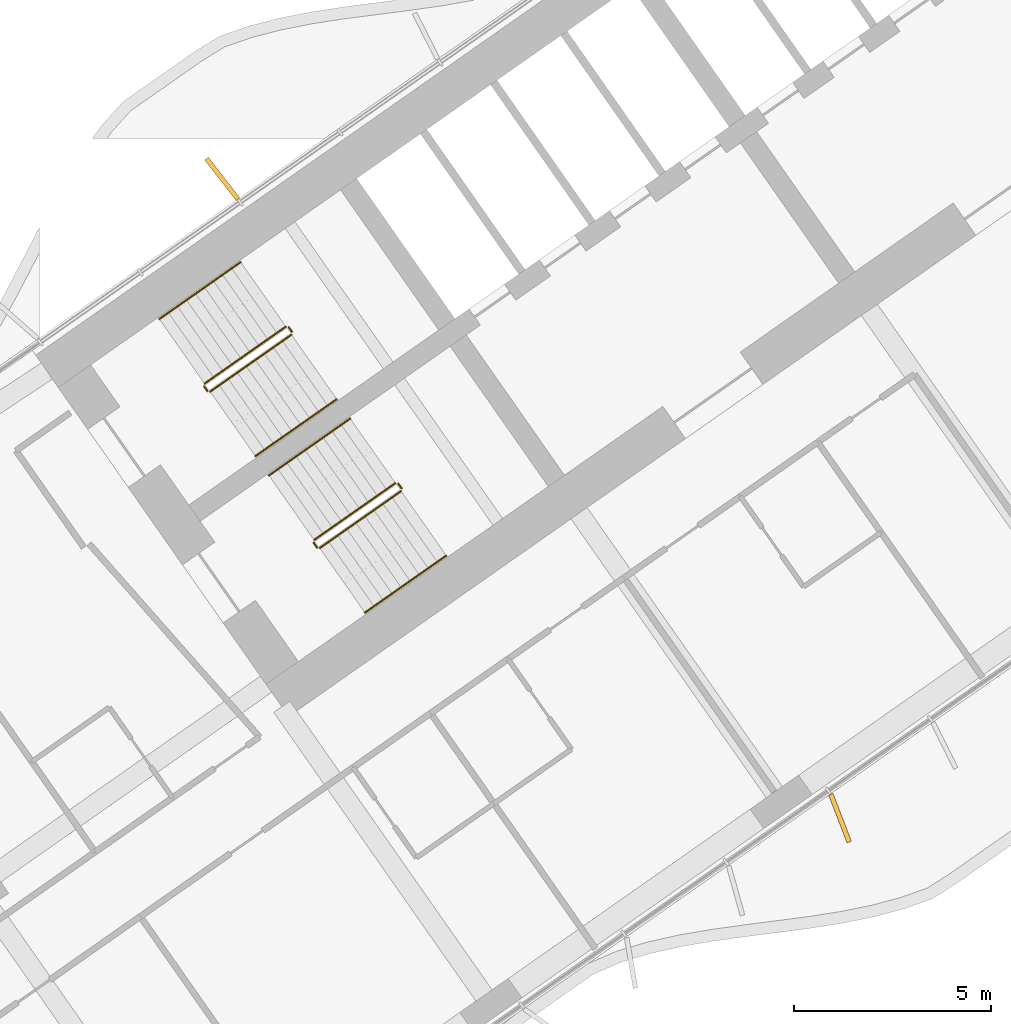
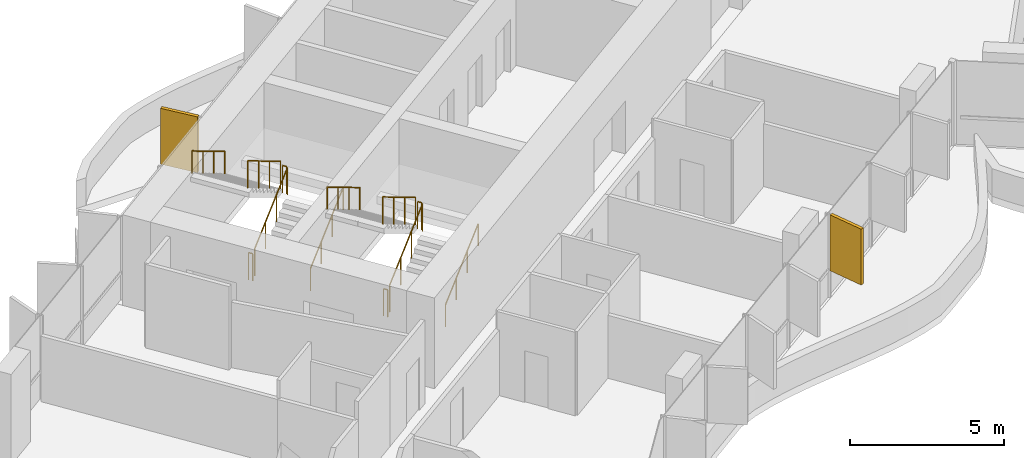
# One storey, part 18 of 22: 12 railings, 2 shading devices.
"""IFC4 building model written with IfcOpenShell, lengths in metres."""

from ifc_helpers import new_model, si_unit, direction, frame, origin, origin_2d, place, context, subcontext, project, spatial, rectangle, circle, extrude, material, layer, layer_set, type_object, element, save


model = new_model("IFC4")

# Units and contexts
model_context = context("Model", 3, precision=1e-05, world=origin(), true_north=direction((0.0, 1.0)))
body_context = subcontext(model_context, "Body", "Model", "MODEL_VIEW")
ifc_project = project(units=[si_unit("LENGTHUNIT", "METRE"), si_unit("AREAUNIT", "SQUARE_METRE"), si_unit("VOLUMEUNIT", "CUBIC_METRE"), si_unit("PLANEANGLEUNIT", "RADIAN"), si_unit("MASSUNIT", "GRAM", prefix="KILO")], contexts=[model_context])

# Site, building, storey
site_placement = place(None, origin())
site = spatial("IfcSite", under=ifc_project, at=site_placement, CompositionType="ELEMENT")
building_placement = place(site_placement, origin())
building = spatial("IfcBuilding", under=site, at=building_placement, Name="Tel Ilan Convention Tower", CompositionType="ELEMENT")
storey_placement = place(building_placement, frame((0.0, 0.0, 122.89990234375)))
storey = spatial("IfcBuildingStorey", under=building, at=storey_placement, Name="L27", CompositionType="ELEMENT", Elevation=122.89990234375)

# Shading devices
ifc_material_1 = material(Name="Aluminium, bronze anodised", Category="aluminium")
ifc_layer = layer(ifc_material_1, 0.1201171875)
ifc_layer_set = layer_set([ifc_layer], Name="FIN BRONZE 1300x120")
shading_device_type = type_object("IfcShadingDeviceType", Name="FIN BRONZE 1300x120", PredefinedType="USERDEFINED", material=ifc_layer_set)
for number, where, z_axis, x_axis, name in (
    (1, (-23.23193359375, -2.653564453125, 1.10009765625), (0.0, 0.0, 1.0), (-0.612600545196, 0.790392669516, 0.0), "FIN"),
    (2, (-7.543212890625, -18.88720703125, 1.10009765625), (0.0, 0.0, 1.0), (0.360177724803, -0.932883704733, 0.0), "FIN"),
):
    element("IfcShadingDevice", number, at=place(storey_placement, frame(where, z_axis=z_axis, x_axis=x_axis)), inside=storey, type_object=shading_device_type, Name=name, ObjectType="FIN", PredefinedType="USERDEFINED", context=body_context, shape_type="SweptSolid", body=[
        extrude(rectangle(XDim=1.300048828125, YDim=0.1201171875, at=origin_2d()), origin(), (0.0, 0.0, 1.0), 2.219970703125),
    ])

# Railings
ifc_material_2 = material(Name="Stainless Steel Grade 316", Category="steel")
railing_type_1 = type_object("IfcRailingType", Name="Stainless Steel Stair Guard 1100 mm", PredefinedType="GUARDRAIL", material=ifc_material_2)
railing_1_placement = place(storey_placement, frame((-23.535400390625, -8.056396484375, 0.18017578125)))
element("IfcRailing", 3, at=railing_1_placement, inside=storey, type_object=railing_type_1, Name="L27 S1 stair guard 1", PredefinedType="GUARDRAIL", context=body_context, shape_type="SweptSolid", body=[
    extrude(circle(Radius=0.02392578125, at=origin_2d()), frame((0.0, 0.0, 1.076171875), z_axis=(0.689043377453, 0.48253410265, 0.540721798865), x_axis=(-0.573624882958, 0.819118119475, 0.0)), (0.0, 0.0, 1.0), 2.995849609375),
    extrude(circle(Radius=0.02099609375, at=origin_2d()), origin(), (0.0, 0.0, 1.0), 1.052001953125),
    extrude(circle(Radius=0.02099609375, at=origin_2d()), frame((0.68798828125, 0.48193359375, 0.5400390625)), (0.0, 0.0, 1.0), 1.052001953125),
    extrude(circle(Radius=0.02099609375, at=origin_2d()), frame((1.376220703125, 0.963623046875, 1.079833984375)), (0.0, 0.0, 1.0), 1.052001953125),
    extrude(circle(Radius=0.02099609375, at=origin_2d()), frame((2.064208984375, 1.445556640625, 1.619873046875)), (0.0, 0.0, 1.0), 1.052001953125),
])
railing_2_placement = place(storey_placement, frame((-21.458984375, -6.541259765625, 1.800048828125)))
element("IfcRailing", 4, at=railing_2_placement, inside=storey, type_object=railing_type_1, Name="L27 S1 stair guard 2", PredefinedType="GUARDRAIL", context=body_context, shape_type="SweptSolid", body=[
    extrude(circle(Radius=0.02392578125, at=origin_2d()), frame((0.0, 0.0, 1.076171875), z_axis=(-0.573353020881, 0.819308436089, 0.0), x_axis=(-0.819308436089, -0.573353020881, 0.0)), (0.0, 0.0, 1.0), 0.14990234375),
    extrude(circle(Radius=0.02099609375, at=origin_2d()), origin(), (0.0, 0.0, 1.0), 1.052001953125),
    extrude(circle(Radius=0.02099609375, at=origin_2d()), frame((-0.0859375, 0.122802734375, 0.0)), (0.0, 0.0, 1.0), 1.052001953125),
])
railing_3_placement = place(storey_placement, frame((-21.614501953125, -6.406005859375, 1.97998046875)))
element("IfcRailing", 5, at=railing_3_placement, inside=storey, type_object=railing_type_1, Name="L27 S1 stair guard 3", PredefinedType="GUARDRAIL", context=body_context, shape_type="SweptSolid", body=[
    extrude(circle(Radius=0.02392578125, at=origin_2d()), frame((0.0, 0.0, 1.076171875), z_axis=(-0.689013013563, -0.482512838948, 0.540779462804), x_axis=(0.573624882958, -0.819118119475, 0.0)), (0.0, 0.0, 1.0), 2.995849609375),
    extrude(circle(Radius=0.02099609375, at=origin_2d()), origin(), (0.0, 0.0, 1.0), 1.052001953125),
    extrude(circle(Radius=0.02099609375, at=origin_2d()), frame((-0.68798828125, -0.48193359375, 0.5400390625)), (0.0, 0.0, 1.0), 1.052001953125),
    extrude(circle(Radius=0.02099609375, at=origin_2d()), frame((-1.376220703125, -0.963623046875, 1.080078125)), (0.0, 0.0, 1.0), 1.052001953125),
    extrude(circle(Radius=0.02099609375, at=origin_2d()), frame((-2.064208984375, -1.445556640625, 1.6201171875)), (0.0, 0.0, 1.0), 1.052001953125),
])
railing_4_placement = place(storey_placement, frame((-23.60498046875, -8.0439453125, 0.0)))
element("IfcRailing", 6, at=railing_4_placement, inside=storey, type_object=railing_type_1, Name="L27 S1 stair guard 4", PredefinedType="GUARDRAIL", context=body_context, shape_type="SweptSolid", body=[
    extrude(circle(Radius=0.02392578125, at=origin_2d()), frame((0.0, 0.0, 1.076171875), z_axis=(-0.574444878118, 0.818543268254, 0.0), x_axis=(-0.818543268254, -0.574444878118, 0.0)), (0.0, 0.0, 1.0), 0.150146484375),
    extrude(circle(Radius=0.02099609375, at=origin_2d()), origin(), (0.0, 0.0, 1.0), 1.052001953125),
    extrude(circle(Radius=0.02099609375, at=origin_2d()), frame((-0.086181640625, 0.122802734375, 0.0)), (0.0, 0.0, 1.0), 1.052001953125),
])
railing_5_placement = place(storey_placement, frame((-20.753662109375, -12.029296875, 0.18017578125)))
element("IfcRailing", 7, at=railing_5_placement, inside=storey, type_object=railing_type_1, Name="L27 S2 stair guard 1", PredefinedType="GUARDRAIL", context=body_context, shape_type="SweptSolid", body=[
    extrude(circle(Radius=0.02392578125, at=origin_2d()), frame((0.0, 0.0, 1.076171875), z_axis=(0.689086176785, 0.482507007183, 0.540691436018), x_axis=(-0.573579365141, 0.81914999352, 0.0)), (0.0, 0.0, 1.0), 2.995849609375),
    extrude(circle(Radius=0.02099609375, at=origin_2d()), origin(), (0.0, 0.0, 1.0), 1.052001953125),
    extrude(circle(Radius=0.02099609375, at=origin_2d()), frame((0.688232421875, 0.48193359375, 0.5400390625)), (0.0, 0.0, 1.0), 1.052001953125),
    extrude(circle(Radius=0.02099609375, at=origin_2d()), frame((1.376220703125, 0.963623046875, 1.079833984375)), (0.0, 0.0, 1.0), 1.052001953125),
    extrude(circle(Radius=0.02099609375, at=origin_2d()), frame((2.064453125, 1.445556640625, 1.619873046875)), (0.0, 0.0, 1.0), 1.052001953125),
])
railing_6_placement = place(storey_placement, frame((-18.677001953125, -10.51416015625, 1.800048828125)))
element("IfcRailing", 8, at=railing_6_placement, inside=storey, type_object=railing_type_1, Name="L27 S2 stair guard 2", PredefinedType="GUARDRAIL", context=body_context, shape_type="SweptSolid", body=[
    extrude(circle(Radius=0.02392578125, at=origin_2d()), frame((0.0, 0.0, 1.076171875), z_axis=(-0.573353020881, 0.819308436089, 0.0), x_axis=(-0.819308436089, -0.573353020881, 0.0)), (0.0, 0.0, 1.0), 0.14990234375),
    extrude(circle(Radius=0.02099609375, at=origin_2d()), origin(), (0.0, 0.0, 1.0), 1.052001953125),
    extrude(circle(Radius=0.02099609375, at=origin_2d()), frame((-0.0859375, 0.122802734375, 0.0)), (0.0, 0.0, 1.0), 1.052001953125),
])
railing_7_placement = place(storey_placement, frame((-18.832763671875, -10.37890625, 1.97998046875)))
element("IfcRailing", 9, at=railing_7_placement, inside=storey, type_object=railing_type_1, Name="L27 S2 stair guard 3", PredefinedType="GUARDRAIL", context=body_context, shape_type="SweptSolid", body=[
    extrude(circle(Radius=0.02392578125, at=origin_2d()), frame((0.0, 0.0, 1.076171875), z_axis=(-0.689013013563, -0.482512838948, 0.540779462804), x_axis=(0.573624882958, -0.819118119475, 0.0)), (0.0, 0.0, 1.0), 2.995849609375),
    extrude(circle(Radius=0.02099609375, at=origin_2d()), origin(), (0.0, 0.0, 1.0), 1.052001953125),
    extrude(circle(Radius=0.02099609375, at=origin_2d()), frame((-0.68798828125, -0.48193359375, 0.5400390625)), (0.0, 0.0, 1.0), 1.052001953125),
    extrude(circle(Radius=0.02099609375, at=origin_2d()), frame((-1.376220703125, -0.963623046875, 1.080078125)), (0.0, 0.0, 1.0), 1.052001953125),
    extrude(circle(Radius=0.02099609375, at=origin_2d()), frame((-2.064208984375, -1.445556640625, 1.6201171875)), (0.0, 0.0, 1.0), 1.052001953125),
])
railing_8_placement = place(storey_placement, frame((-20.8232421875, -12.016845703125, 0.0)))
element("IfcRailing", 10, at=railing_8_placement, inside=storey, type_object=railing_type_1, Name="L27 S2 stair guard 4", PredefinedType="GUARDRAIL", context=body_context, shape_type="SweptSolid", body=[
    extrude(circle(Radius=0.02392578125, at=origin_2d()), frame((0.0, 0.0, 1.076171875), z_axis=(-0.573353020881, 0.819308436089, 0.0), x_axis=(-0.819308436089, -0.573353020881, 0.0)), (0.0, 0.0, 1.0), 0.14990234375),
    extrude(circle(Radius=0.02099609375, at=origin_2d()), origin(), (0.0, 0.0, 1.0), 1.052001953125),
    extrude(circle(Radius=0.02099609375, at=origin_2d()), frame((-0.0859375, 0.122802734375, 0.0)), (0.0, 0.0, 1.0), 1.052001953125),
])
ifc_material_3 = material(Name="Stainless Steel Grade 316", Category="steel")
railing_type_2 = type_object("IfcRailingType", Name="Stainless Steel Stair Handrail 900 mm", PredefinedType="HANDRAIL", material=ifc_material_3)
railing_9_placement = place(storey_placement, frame((-22.38818359375, -9.694580078125, 0.18017578125)))
element("IfcRailing", 11, at=railing_9_placement, inside=storey, type_object=railing_type_2, Name="L27 S1 stair handrail 1", PredefinedType="HANDRAIL", context=body_context, shape_type="SweptSolid", body=[
    extrude(circle(Radius=0.02392578125, at=origin_2d()), frame((0.0, 0.0, 0.8759765625), z_axis=(0.68907047291, 0.482471578903, 0.540743061828), x_axis=(-0.573559875649, 0.819163639968, 0.0)), (0.0, 0.0, 1.0), 2.99560546875),
    extrude(circle(Radius=0.02099609375, at=origin_2d()), origin(), (0.0, 0.0, 1.0), 0.851806640625),
    extrude(circle(Radius=0.02099609375, at=origin_2d()), frame((0.68798828125, 0.481689453125, 0.5400390625)), (0.0, 0.0, 1.0), 0.851806640625),
    extrude(circle(Radius=0.02099609375, at=origin_2d()), frame((1.376220703125, 0.963623046875, 1.079833984375)), (0.0, 0.0, 1.0), 0.851806640625),
    extrude(circle(Radius=0.02099609375, at=origin_2d()), frame((2.064208984375, 1.4453125, 1.619873046875)), (0.0, 0.0, 1.0), 0.851806640625),
])
railing_10_placement = place(storey_placement, frame((-22.76171875, -4.767822265625, 1.97998046875)))
element("IfcRailing", 12, at=railing_10_placement, inside=storey, type_object=railing_type_2, Name="L27 S1 stair handrail 2", PredefinedType="HANDRAIL", context=body_context, shape_type="SweptSolid", body=[
    extrude(circle(Radius=0.02392578125, at=origin_2d()), frame((0.0, 0.0, 0.8759765625), z_axis=(-0.689040105437, -0.482450316285, 0.54080072616), x_axis=(0.573559875649, -0.819163639968, 0.0)), (0.0, 0.0, 1.0), 2.995849609375),
    extrude(circle(Radius=0.02099609375, at=origin_2d()), origin(), (0.0, 0.0, 1.0), 0.851806640625),
    extrude(circle(Radius=0.02099609375, at=origin_2d()), frame((-0.68798828125, -0.481689453125, 0.5400390625)), (0.0, 0.0, 1.0), 0.851806640625),
    extrude(circle(Radius=0.02099609375, at=origin_2d()), frame((-1.376220703125, -0.963623046875, 1.080078125)), (0.0, 0.0, 1.0), 0.851806640625),
    extrude(circle(Radius=0.02099609375, at=origin_2d()), frame((-2.064208984375, -1.4453125, 1.6201171875)), (0.0, 0.0, 1.0), 0.851806640625),
])
railing_11_placement = place(storey_placement, frame((-19.6064453125, -13.66748046875, 0.18017578125)))
element("IfcRailing", 13, at=railing_11_placement, inside=storey, type_object=railing_type_2, Name="L27 S2 stair handrail 1", PredefinedType="HANDRAIL", context=body_context, shape_type="SweptSolid", body=[
    extrude(circle(Radius=0.02392578125, at=origin_2d()), frame((0.0, 0.0, 0.8759765625), z_axis=(0.68907047291, 0.482471578903, 0.540743061828), x_axis=(-0.573559875649, 0.819163639968, 0.0)), (0.0, 0.0, 1.0), 2.99560546875),
    extrude(circle(Radius=0.02099609375, at=origin_2d()), origin(), (0.0, 0.0, 1.0), 0.851806640625),
    extrude(circle(Radius=0.02099609375, at=origin_2d()), frame((0.68798828125, 0.481689453125, 0.5400390625)), (0.0, 0.0, 1.0), 0.851806640625),
    extrude(circle(Radius=0.02099609375, at=origin_2d()), frame((1.376220703125, 0.963623046875, 1.079833984375)), (0.0, 0.0, 1.0), 0.851806640625),
    extrude(circle(Radius=0.02099609375, at=origin_2d()), frame((2.064208984375, 1.4453125, 1.619873046875)), (0.0, 0.0, 1.0), 0.851806640625),
])
railing_12_placement = place(storey_placement, frame((-19.979736328125, -8.74072265625, 1.97998046875)))
element("IfcRailing", 14, at=railing_12_placement, inside=storey, type_object=railing_type_2, Name="L27 S2 stair handrail 2", PredefinedType="HANDRAIL", context=body_context, shape_type="SweptSolid", body=[
    extrude(circle(Radius=0.02392578125, at=origin_2d()), frame((0.0, 0.0, 0.8759765625), z_axis=(-0.689082904933, -0.482423225781, 0.540770359169), x_axis=(0.573514357932, -0.81919550856, 0.0)), (0.0, 0.0, 1.0), 2.995849609375),
    extrude(circle(Radius=0.02099609375, at=origin_2d()), origin(), (0.0, 0.0, 1.0), 0.851806640625),
    extrude(circle(Radius=0.02099609375, at=origin_2d()), frame((-0.688232421875, -0.481689453125, 0.5400390625)), (0.0, 0.0, 1.0), 0.851806640625),
    extrude(circle(Radius=0.02099609375, at=origin_2d()), frame((-1.376220703125, -0.963623046875, 1.080078125)), (0.0, 0.0, 1.0), 0.851806640625),
    extrude(circle(Radius=0.02099609375, at=origin_2d()), frame((-2.064453125, -1.4453125, 1.6201171875)), (0.0, 0.0, 1.0), 0.851806640625),
])

save(model, "model.ifc")
